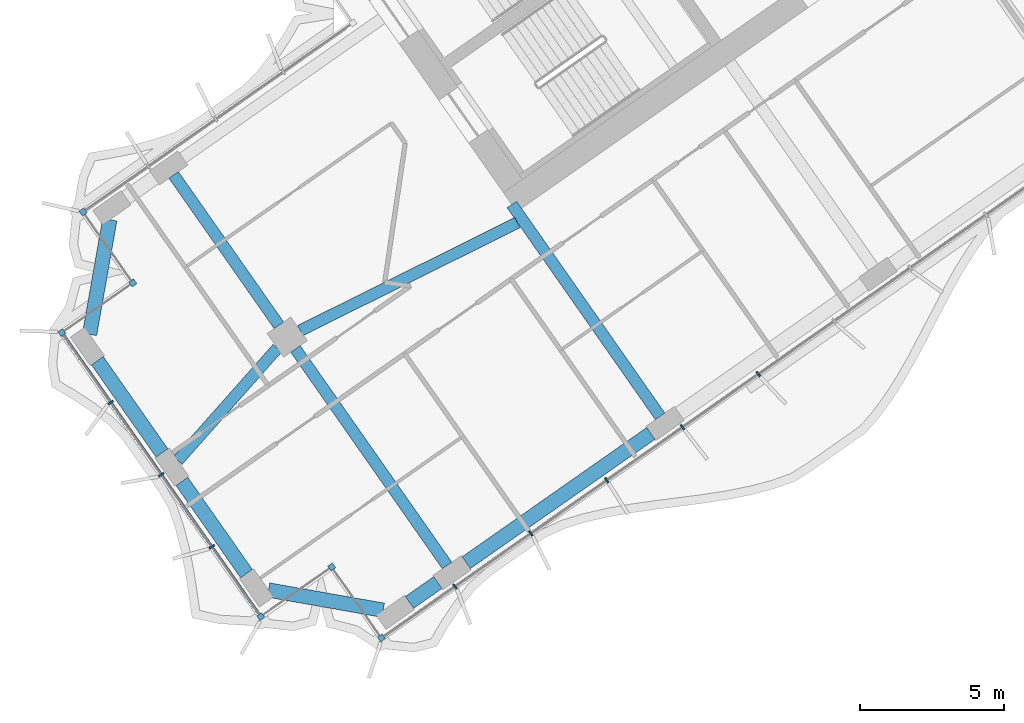
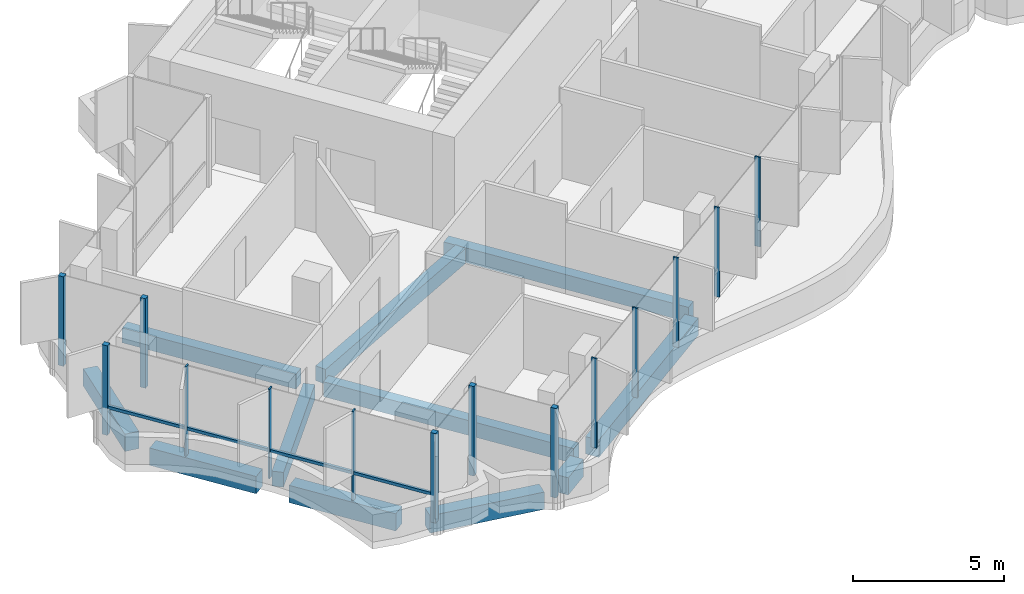
# One storey, part 2 of 23: 15 members, 11 beams, 1 element without a shape of its own.
"""IFC4 building model written with IfcOpenShell, lengths in metres."""

from ifc_helpers import new_model, si_unit, direction, frame, origin, origin_2d, place, context, subcontext, project, spatial, rectangle, extrude, material, material_profile, profile_set, type_object, element, aggregate, save


model = new_model("IFC4")

# Units and contexts
model_context = context("Model", 3, precision=1e-05, world=origin(), true_north=direction((0.0, 1.0)))
body_context = subcontext(model_context, "Body", "Model", "MODEL_VIEW")
ifc_project = project(units=[si_unit("LENGTHUNIT", "METRE"), si_unit("AREAUNIT", "SQUARE_METRE"), si_unit("VOLUMEUNIT", "CUBIC_METRE"), si_unit("PLANEANGLEUNIT", "RADIAN"), si_unit("MASSUNIT", "GRAM", prefix="KILO")], contexts=[model_context])

# Site, building, storey
site_placement = place(None, origin())
site = spatial("IfcSite", under=ifc_project, at=site_placement, CompositionType="ELEMENT")
building_placement = place(site_placement, origin())
building = spatial("IfcBuilding", under=site, at=building_placement, Name="Tel Ilan Convention Tower", CompositionType="ELEMENT")
storey_placement = place(building_placement, frame((0.0, 0.0, 194.39990234375)))
storey = spatial("IfcBuildingStorey", under=building, at=storey_placement, Name="L45", CompositionType="ELEMENT", Elevation=194.39990234375)

# Beams
ifc_material_1 = material(Name="Concrete C40/50", Category="concrete")
ifc_material_profile_1 = material_profile(ifc_material_1, rectangle(XDim=0.39990234375, YDim=0.60009765625, at=origin_2d()), Name="RC 400x600")
ifc_profile_set_1 = profile_set([ifc_material_profile_1], Name="Concrete C40/50")
beam_type_1 = type_object("IfcBeamType", Name="Beam RC 400x600 Concrete C40/50", PredefinedType="BEAM", material=ifc_profile_set_1)
beam_1_placement = place(storey_placement, frame((-16.58203125, -23.391357421875, -0.579833984375), z_axis=(-0.573584999642, 0.819146048141, 0.0), x_axis=(-0.819146048141, -0.573584999642, 0.0)))
element("IfcBeam", 1, at=beam_1_placement, inside=storey, type_object=beam_type_1, Name="L45 beam W-W-F3-core", PredefinedType="BEAM", context=body_context, shape_type="SweptSolid", body=[
    extrude(rectangle(XDim=0.39990234375, YDim=0.60009765625, at=origin_2d()), origin(), (0.0, 0.0, 1.0), 8.949951171875),
])
beam_2_placement = place(storey_placement, frame((-21.52099609375, -16.686279296875, -0.579833984375), z_axis=(-0.895402365524, -0.445257907076, 0.0), x_axis=(0.445257907076, -0.895402365524, 0.0)))
element("IfcBeam", 2, at=beam_2_placement, inside=storey, type_object=beam_type_1, Name="L45 beam W-core-W-M4", PredefinedType="BEAM", context=body_context, shape_type="SweptSolid", body=[
    extrude(rectangle(XDim=0.39990234375, YDim=0.60009765625, at=origin_2d()), origin(), (0.0, 0.0, 1.0), 8.3935546875),
])
beam_3_placement = place(storey_placement, frame((-29.830322265625, -21.03369140625, -0.579833984375), z_axis=(-0.663175252401, -0.748464150512, 0.0), x_axis=(0.748464150512, -0.663175252401, 0.0)))
element("IfcBeam", 3, at=beam_3_placement, inside=storey, type_object=beam_type_1, Name="L45 beam W-W-M4-end", PredefinedType="BEAM", context=body_context, shape_type="SweptSolid", body=[
    extrude(rectangle(XDim=0.39990234375, YDim=0.60009765625, at=origin_2d()), origin(), (0.0, 0.0, 1.0), 5.192626953125),
])
beam_4_placement = place(storey_placement, frame((-29.20263671875, -21.058349609375, -0.579833984375), z_axis=(0.573557249804, -0.819165478519, 0.0), x_axis=(0.819165478519, 0.573557249804, 0.0)))
element("IfcBeam", 4, at=beam_4_placement, inside=storey, type_object=beam_type_1, Name="L45 beam W-W-M4-W-F4", PredefinedType="BEAM", context=body_context, shape_type="SweptSolid", body=[
    extrude(rectangle(XDim=0.39990234375, YDim=0.60009765625, at=origin_2d()), origin(), (0.0, 0.0, 1.0), 9.14990234375),
])
beam_5_placement = place(storey_placement, frame((-29.7763671875, -20.2392578125, -0.579833984375), z_axis=(-0.573560394383, 0.819163276762, 0.0), x_axis=(-0.819163276762, -0.573560394383, 0.0)))
element("IfcBeam", 5, at=beam_5_placement, inside=storey, type_object=beam_type_1, Name="L45 beam W-W-M4-W-B4", PredefinedType="BEAM", context=body_context, shape_type="SweptSolid", body=[
    extrude(rectangle(XDim=0.39990234375, YDim=0.60009765625, at=origin_2d()), origin(), (0.0, 0.0, 1.0), 6.349853515625),
])
ifc_material_2 = material(Name="Concrete C40/50", Category="concrete")
ifc_material_profile_2 = material_profile(ifc_material_2, rectangle(XDim=0.5, YDim=0.699951171875, at=origin_2d()), Name="RC 500x700")
ifc_profile_set_2 = profile_set([ifc_material_profile_2], Name="Concrete C40/50")
beam_type_2 = type_object("IfcBeamType", Name="Beam RC 500x700 Concrete C40/50", PredefinedType="BEAM", material=ifc_profile_set_2)
beam_6_placement = place(storey_placement, frame((-16.901611328125, -23.981201171875, -0.6298828125), z_axis=(-0.819153977895, -0.573573674866, 0.0), x_axis=(0.573573674866, -0.819153977895, 0.0)))
element("IfcBeam", 6, at=beam_6_placement, inside=storey, type_object=beam_type_2, Name="L45 beam W-W-F3-W-F4", PredefinedType="BEAM", context=body_context, shape_type="SweptSolid", body=[
    extrude(rectangle(XDim=0.5, YDim=0.699951171875, at=origin_2d()), origin(), (0.0, 0.0, 1.0), 7.800048828125),
])
beam_7_placement = place(storey_placement, frame((-24.27392578125, -29.1435546875, -0.6298828125), z_axis=(-0.819155442668, -0.573571582932, 0.0), x_axis=(0.573571582932, -0.819155442668, 0.0)))
element("IfcBeam", 7, at=beam_7_placement, inside=storey, type_object=beam_type_2, Name="L45 beam W-W-F4-W-FC", PredefinedType="BEAM", context=body_context, shape_type="SweptSolid", body=[
    extrude(rectangle(XDim=0.5, YDim=0.699951171875, at=origin_2d()), origin(), (0.0, 0.0, 1.0), 1.199951171875),
])
beam_8_placement = place(storey_placement, frame((-26.166259765625, -30.102294921875, -0.6298828125), z_axis=(-0.984804894423, 0.173664388751, 0.0), x_axis=(-0.173664388751, -0.984804894423, 0.0)))
element("IfcBeam", 8, at=beam_8_placement, inside=storey, type_object=beam_type_2, Name="L45 beam W-W-FC-W-E1", PredefinedType="BEAM", context=body_context, shape_type="SweptSolid", body=[
    extrude(rectangle(XDim=0.5, YDim=0.699951171875, at=origin_2d()), origin(), (0.0, 0.0, 1.0), 4.030517578125),
])
for number, where, z_axis, x_axis, name in (
    (9, (-30.8974609375, -28.837158203125, -0.6298828125), (-0.573609383536, 0.819128973434, 0.0), (-0.819128973434, -0.573609383536, 0.0), "L45 beam W-W-E1-W-E2"),
    (10, (-33.82275390625, -24.659423828125, -0.6298828125), (-0.573567378001, 0.81915838694, 0.0), (-0.81915838694, -0.573567378001, 0.0), "L45 beam W-W-E2-W-E3"),
):
    element("IfcBeam", number, at=place(storey_placement, frame(where, z_axis=z_axis, x_axis=x_axis)), inside=storey, type_object=beam_type_2, Name=name, PredefinedType="BEAM", context=body_context, shape_type="SweptSolid", body=[
        extrude(rectangle(XDim=0.5, YDim=0.699951171875, at=origin_2d()), origin(), (0.0, 0.0, 1.0), 3.89990234375),
    ])
beam_9_placement = place(storey_placement, frame((-36.330078125, -20.555419921875, -0.6298828125), z_axis=(0.173664388751, 0.984804894423, 0.0), x_axis=(-0.984804894423, 0.173664388751, 0.0)))
element("IfcBeam", 11, at=beam_9_placement, inside=storey, type_object=beam_type_2, Name="L45 beam W-W-E3-W-BC", PredefinedType="BEAM", context=body_context, shape_type="SweptSolid", body=[
    extrude(rectangle(XDim=0.5, YDim=0.699951171875, at=origin_2d()), origin(), (0.0, 0.0, 1.0), 4.030517578125),
])

# Curtain wall, members
ifc_material_3 = material(Name="Aluminium, bronze anodised", Category="aluminium")
curtain_wall_type = type_object("IfcCurtainWallType", Name="CW4 STICK CURTAIN WALL, OFFICE TINTED GLASS", PredefinedType="NOTDEFINED", material=ifc_material_3)
curtain_wall_placement = place(storey_placement, origin())
curtain_wall = element("IfcCurtainWall", 12, at=curtain_wall_placement, inside=storey, type_object=curtain_wall_type, Name="Curtain wall CW4-35.02", PredefinedType="NOTDEFINED")
ifc_material_4 = material(Name="Aluminium, bronze anodised", Category="aluminium")
ifc_material_profile_3 = material_profile(ifc_material_4, rectangle(XDim=0.199951171875, YDim=0.199951171875, at=origin_2d()), Name="CW CORNER MULLION 200x200")
ifc_profile_set_3 = profile_set([ifc_material_profile_3], Name="Aluminium, bronze anodised")
member_type_1 = type_object("IfcMemberType", Name="CW CORNER MULLION 200x200", PredefinedType="MULLION", material=ifc_profile_set_3)
member_1_placement = place(storey_placement, frame((-36.5517578125, -16.31591796875, 0.0), z_axis=(0.0, 0.0, 1.0), x_axis=(-0.819152044289, -0.573576436351, 0.0)))
member_1 = element("IfcMember", 13, at=member_1_placement, type_object=member_type_1, Name="Corner mullion", PredefinedType="MULLION", context=body_context, shape_type="SweptSolid", body=[
    extrude(rectangle(XDim=0.199951171875, YDim=0.199951171875, at=origin_2d()), origin(), (0.0, 0.0, 1.0), 3.6201171875),
])
member_2_placement = place(storey_placement, frame((-34.8310546875, -18.7734375, 0.0), z_axis=(0.0, 0.0, 1.0), x_axis=(0.573576436351, -0.819152044289, 0.0)))
member_2 = element("IfcMember", 14, at=member_2_placement, type_object=member_type_1, Name="Corner mullion", PredefinedType="MULLION", context=body_context, shape_type="SweptSolid", body=[
    extrude(rectangle(XDim=0.199951171875, YDim=0.199951171875, at=origin_2d()), origin(), (0.0, 0.0, 1.0), 3.6201171875),
])
member_3_placement = place(storey_placement, frame((-37.28857421875, -20.494140625, 0.0), z_axis=(0.0, 0.0, 1.0), x_axis=(-0.819152044289, -0.573576436351, 0.0)))
member_3 = element("IfcMember", 15, at=member_3_placement, type_object=member_type_1, Name="Corner mullion", PredefinedType="MULLION", context=body_context, shape_type="SweptSolid", body=[
    extrude(rectangle(XDim=0.199951171875, YDim=0.199951171875, at=origin_2d()), origin(), (0.0, 0.0, 1.0), 3.6201171875),
])
member_4_placement = place(storey_placement, frame((-30.40576171875, -30.323974609375, 0.0), z_axis=(0.0, 0.0, 1.0), x_axis=(0.573576436351, -0.819152044289, 0.0)))
member_4 = element("IfcMember", 16, at=member_4_placement, type_object=member_type_1, Name="Corner mullion", PredefinedType="MULLION", context=body_context, shape_type="SweptSolid", body=[
    extrude(rectangle(XDim=0.199951171875, YDim=0.199951171875, at=origin_2d()), origin(), (0.0, 0.0, 1.0), 3.6201171875),
])
member_5_placement = place(storey_placement, frame((-27.9482421875, -28.603271484375, 0.0), z_axis=(0.0, 0.0, 1.0), x_axis=(0.819152044289, 0.573576436351, 0.0)))
member_5 = element("IfcMember", 17, at=member_5_placement, type_object=member_type_1, Name="Corner mullion", PredefinedType="MULLION", context=body_context, shape_type="SweptSolid", body=[
    extrude(rectangle(XDim=0.199951171875, YDim=0.199951171875, at=origin_2d()), origin(), (0.0, 0.0, 1.0), 3.6201171875),
])
member_6_placement = place(storey_placement, frame((-26.2275390625, -31.060791015625, 0.0), z_axis=(0.0, 0.0, 1.0), x_axis=(0.573576436351, -0.819152044289, 0.0)))
member_6 = element("IfcMember", 18, at=member_6_placement, type_object=member_type_1, Name="Corner mullion", PredefinedType="MULLION", context=body_context, shape_type="SweptSolid", body=[
    extrude(rectangle(XDim=0.199951171875, YDim=0.199951171875, at=origin_2d()), origin(), (0.0, 0.0, 1.0), 3.6201171875),
])
ifc_material_5 = material(Name="Aluminium, bronze anodised", Category="aluminium")
ifc_material_profile_4 = material_profile(ifc_material_5, rectangle(XDim=0.06005859375, YDim=0.199951171875, at=origin_2d()), Name="CW MULLION 60x200")
ifc_profile_set_4 = profile_set([ifc_material_profile_4], Name="Aluminium, bronze anodised")
member_type_2 = type_object("IfcMemberType", Name="CW MULLION 60x200", PredefinedType="MULLION", material=ifc_profile_set_4)
member_7_placement = place(storey_placement, frame((-35.596435546875, -22.91064453125, 0.0), z_axis=(0.0, 0.0, 1.0), x_axis=(0.573576436351, -0.819152044289, 0.0)))
member_7 = element("IfcMember", 19, at=member_7_placement, type_object=member_type_2, Name="Mullion", PredefinedType="MULLION", context=body_context, shape_type="SweptSolid", body=[
    extrude(rectangle(XDim=0.06005859375, YDim=0.199951171875, at=origin_2d()), origin(), (0.0, 0.0, 1.0), 3.6201171875),
])
member_8_placement = place(storey_placement, frame((-33.84716796875, -25.4091796875, 0.0), z_axis=(0.0, 0.0, 1.0), x_axis=(0.573576436351, -0.819152044289, 0.0)))
member_8 = element("IfcMember", 20, at=member_8_placement, type_object=member_type_2, Name="Mullion", PredefinedType="MULLION", context=body_context, shape_type="SweptSolid", body=[
    extrude(rectangle(XDim=0.06005859375, YDim=0.199951171875, at=origin_2d()), origin(), (0.0, 0.0, 1.0), 3.6201171875),
])
member_9_placement = place(storey_placement, frame((-32.09765625, -27.907470703125, 0.0), z_axis=(0.0, 0.0, 1.0), x_axis=(0.573576436351, -0.819152044289, 0.0)))
member_9 = element("IfcMember", 21, at=member_9_placement, type_object=member_type_2, Name="Mullion", PredefinedType="MULLION", context=body_context, shape_type="SweptSolid", body=[
    extrude(rectangle(XDim=0.06005859375, YDim=0.199951171875, at=origin_2d()), origin(), (0.0, 0.0, 1.0), 3.6201171875),
])
member_10_placement = place(storey_placement, frame((-23.68408203125, -29.27978515625, 0.0), z_axis=(0.0, 0.0, 1.0), x_axis=(0.819152044289, 0.573576436351, 0.0)))
member_10 = element("IfcMember", 22, at=member_10_placement, type_object=member_type_2, Name="Mullion", PredefinedType="MULLION", context=body_context, shape_type="SweptSolid", body=[
    extrude(rectangle(XDim=0.06005859375, YDim=0.199951171875, at=origin_2d()), origin(), (0.0, 0.0, 1.0), 3.6201171875),
])
member_11_placement = place(storey_placement, frame((-21.05908203125, -27.441650390625, 0.0), z_axis=(0.0, 0.0, 1.0), x_axis=(0.819152044289, 0.573576436351, 0.0)))
member_11 = element("IfcMember", 23, at=member_11_placement, type_object=member_type_2, Name="Mullion", PredefinedType="MULLION", context=body_context, shape_type="SweptSolid", body=[
    extrude(rectangle(XDim=0.06005859375, YDim=0.199951171875, at=origin_2d()), origin(), (0.0, 0.0, 1.0), 3.6201171875),
])
member_12_placement = place(storey_placement, frame((-18.433837890625, -25.603515625, 0.0), z_axis=(0.0, 0.0, 1.0), x_axis=(0.819152044289, 0.573576436351, 0.0)))
member_12 = element("IfcMember", 24, at=member_12_placement, type_object=member_type_2, Name="Mullion", PredefinedType="MULLION", context=body_context, shape_type="SweptSolid", body=[
    extrude(rectangle(XDim=0.06005859375, YDim=0.199951171875, at=origin_2d()), origin(), (0.0, 0.0, 1.0), 3.6201171875),
])
member_13_placement = place(storey_placement, frame((-15.80859375, -23.765380859375, 0.0), z_axis=(0.0, 0.0, 1.0), x_axis=(0.819152044289, 0.573576436351, 0.0)))
member_13 = element("IfcMember", 25, at=member_13_placement, type_object=member_type_2, Name="Mullion", PredefinedType="MULLION", context=body_context, shape_type="SweptSolid", body=[
    extrude(rectangle(XDim=0.06005859375, YDim=0.199951171875, at=origin_2d()), origin(), (0.0, 0.0, 1.0), 3.6201171875),
])
member_14_placement = place(storey_placement, frame((-13.183349609375, -21.92724609375, 0.0), z_axis=(0.0, 0.0, 1.0), x_axis=(0.819152044289, 0.573576436351, 0.0)))
member_14 = element("IfcMember", 26, at=member_14_placement, type_object=member_type_2, Name="Mullion", PredefinedType="MULLION", context=body_context, shape_type="SweptSolid", body=[
    extrude(rectangle(XDim=0.06005859375, YDim=0.199951171875, at=origin_2d()), origin(), (0.0, 0.0, 1.0), 3.6201171875),
])
ifc_material_6 = material(Name="Aluminium, bronze anodised", Category="aluminium")
ifc_material_profile_5 = material_profile(ifc_material_6, rectangle(XDim=0.10009765625, YDim=0.1201171875, at=origin_2d()), Name="CW TRANSOM 100x120")
ifc_profile_set_5 = profile_set([ifc_material_profile_5], Name="Aluminium, bronze anodised")
member_type_3 = type_object("IfcMemberType", Name="CW TRANSOM 100x120", PredefinedType="USERDEFINED", material=ifc_profile_set_5)
member_15_placement = place(storey_placement, frame((-37.231201171875, -20.576171875, 1.10009765625), z_axis=(0.573567872435, -0.819158040741, 0.0), x_axis=(0.819158040741, 0.573567872435, 0.0)))
member_15 = element("IfcMember", 27, at=member_15_placement, type_object=member_type_3, Name="Transom", ObjectType="TRANSOM", PredefinedType="USERDEFINED", context=body_context, shape_type="SweptSolid", body=[
    extrude(rectangle(XDim=0.10009765625, YDim=0.1201171875, at=origin_2d()), origin(), (0.0, 0.0, 1.0), 11.800048828125),
])
aggregate(curtain_wall, [member_1, member_2, member_3, member_7, member_8, member_9, member_4, member_15, member_5, member_6, member_10, member_11, member_12, member_13, member_14])

save(model, "model.ifc")
